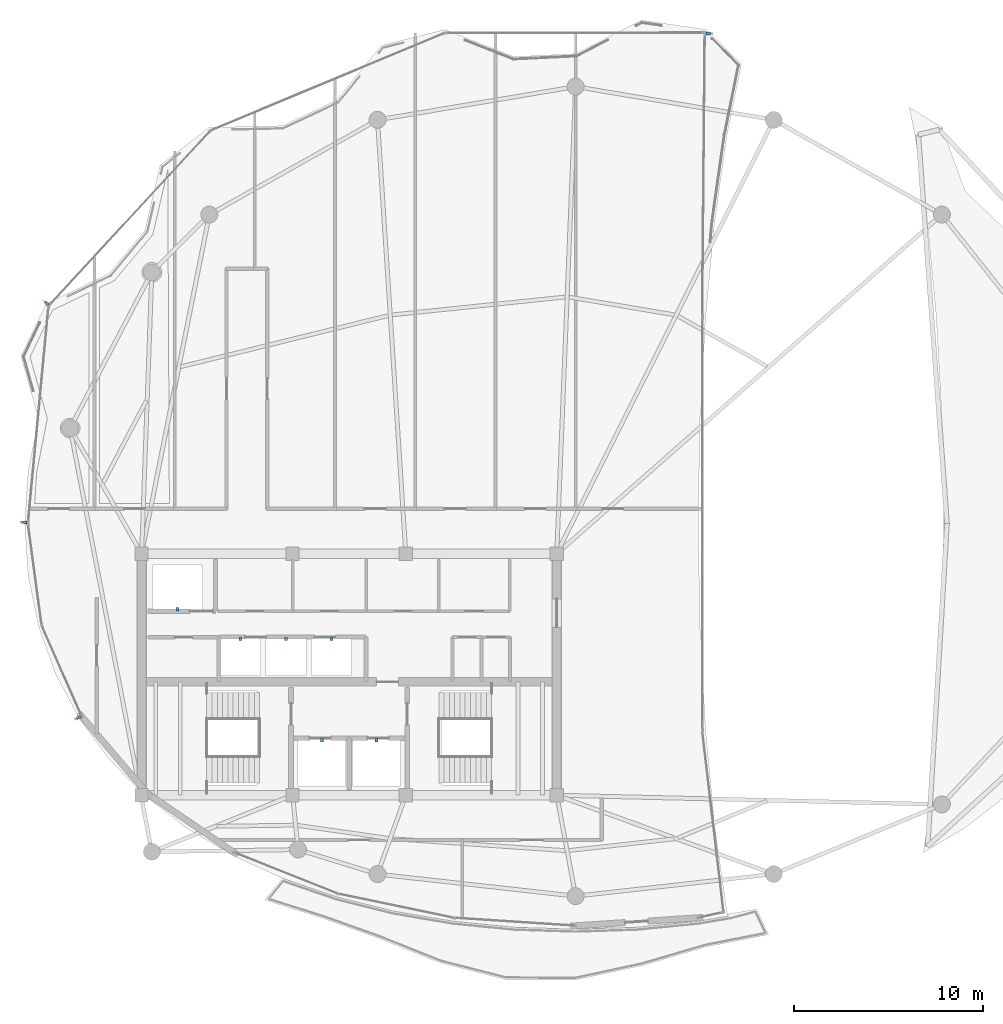
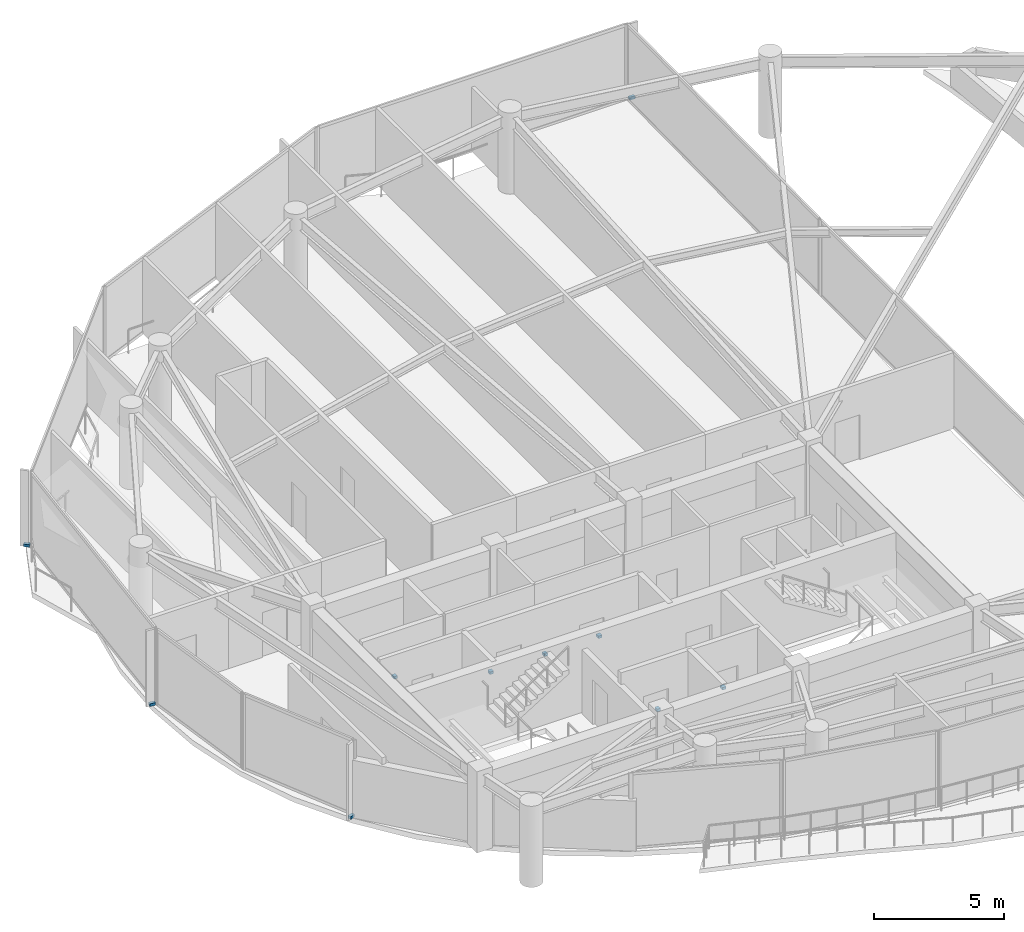
# One storey, part 20 of 22: 10 discrete accessories.
"""IFC4 building model written with IfcOpenShell, lengths in metres."""

from ifc_helpers import new_model, si_unit, direction, frame, origin, origin_2d, place, context, subcontext, project, spatial, rectangle, extrude, material, type_object, element, save


model = new_model("IFC4")

# Units and contexts
model_context = context("Model", 3, precision=1e-05, world=origin(), true_north=direction((0.0, 1.0)))
body_context = subcontext(model_context, "Body", "Model", "MODEL_VIEW")
ifc_project = project(units=[si_unit("LENGTHUNIT", "METRE"), si_unit("AREAUNIT", "SQUARE_METRE"), si_unit("VOLUMEUNIT", "CUBIC_METRE"), si_unit("PLANEANGLEUNIT", "RADIAN"), si_unit("MASSUNIT", "GRAM", prefix="KILO")], contexts=[model_context])

# Site, building, storey
site_placement = place(None, origin())
site = spatial("IfcSite", under=ifc_project, at=site_placement, CompositionType="ELEMENT")
building_placement = place(site_placement, origin())
building = spatial("IfcBuilding", under=site, at=building_placement, Name="Kazevale Care Tower and Concert Hall", CompositionType="ELEMENT")
storey_placement = place(building_placement, frame((0.0, 0.0, 273.800048828125)))
storey = spatial("IfcBuildingStorey", under=building, at=storey_placement, Name="L72", CompositionType="ELEMENT", Elevation=273.800048828125)

# Discrete accessories
ifc_material = material(Name="Stainless Steel 316", Category="steel")
discrete_accessory_type_1 = type_object("IfcDiscreteAccessoryType", Name="Facade Fin Stainless Anchor Bracket BRK-1", PredefinedType="BRACKET", material=ifc_material)
for number, where, z_axis, x_axis, name in (
    (1, (18.67333984375, 27.718994140625, 0.0), (0.0, 0.0, 1.0), (-0.91495966785, -0.403545296352, 0.0), "cw:L72:f07:brk"),
    (2, (15.814453125, 38.055908203125, 0.0), (0.0, 0.0, 1.0), (-0.995545524441, 0.094282070226, 0.0), "cw:L72:f09:brk"),
    (3, (16.97216796875, 49.65966796875, 0.0), (0.0, 0.0, 1.0), (-0.735269577966, 0.677774776543, 0.0), "cw:L72:f10:brk"),
    (4, (52.0166015625, 63.965576171875, 0.0), (0.0, 0.0, 1.0), (0.999960384766, -0.008901061644, 0.0), "cw:L72:f13:brk"),
):
    element("IfcDiscreteAccessory", number, at=place(storey_placement, frame(where, z_axis=z_axis, x_axis=x_axis)), inside=storey, type_object=discrete_accessory_type_1, Name=name, PredefinedType="BRACKET", context=body_context, shape_type="SweptSolid", body=[
        extrude(rectangle(XDim=0.239990234375, YDim=0.139892578125, at=origin_2d()), origin(), (0.0, 0.0, 1.0), 0.1201171875),
    ])
discrete_accessory_type_2 = type_object("IfcDiscreteAccessoryType", Name="Hoistway Guide-Rail Wall Bracket HBRK-1", PredefinedType="BRACKET", material=ifc_material)
for number, where, z_axis, x_axis, name in (
    (5, (31.550048828125, 26.52001953125, 1.239990234375), (0.0, 0.0, 1.0), (1.0, 0.0, 0.0), "hbrk:FFL-1:L72"),
    (6, (34.449951171875, 26.52001953125, 1.239990234375), (0.0, 0.0, 1.0), (1.0, 0.0, 0.0), "hbrk:FFL-2:L72"),
    (7, (23.89990234375, 33.449951171875, 1.239990234375), (0.0, 0.0, 1.0), (1.0, 0.0, 0.0), "hbrk:SVL-1:L72"),
    (8, (27.25, 31.8798828125, 1.239990234375), (0.0, 0.0, 1.0), (1.0, 0.0, 0.0), "hbrk:PH-1:L72"),
    (9, (29.64990234375, 31.8798828125, 1.239990234375), (0.0, 0.0, 1.0), (1.0, 0.0, 0.0), "hbrk:PH-2:L72"),
    (10, (32.050048828125, 31.8798828125, 1.239990234375), (0.0, 0.0, 1.0), (1.0, 0.0, 0.0), "hbrk:PH-3:L72"),
):
    element("IfcDiscreteAccessory", number, at=place(storey_placement, frame(where, z_axis=z_axis, x_axis=x_axis)), inside=storey, type_object=discrete_accessory_type_2, Name=name, PredefinedType="BRACKET", context=body_context, shape_type="SweptSolid", body=[
        extrude(rectangle(XDim=0.159912109375, YDim=0.179931640625, at=origin_2d()), origin(), (0.0, 0.0, 1.0), 0.1201171875),
    ])

save(model, "model.ifc")
